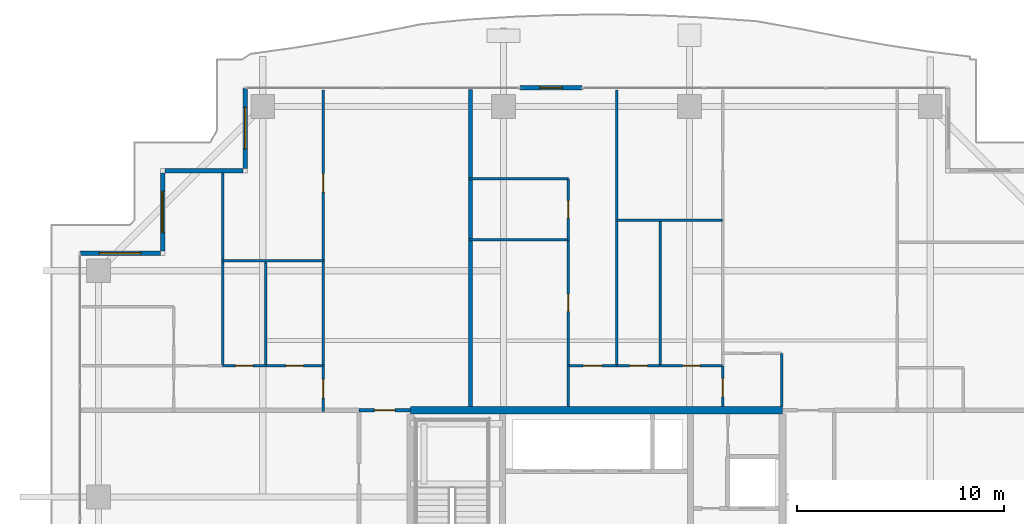
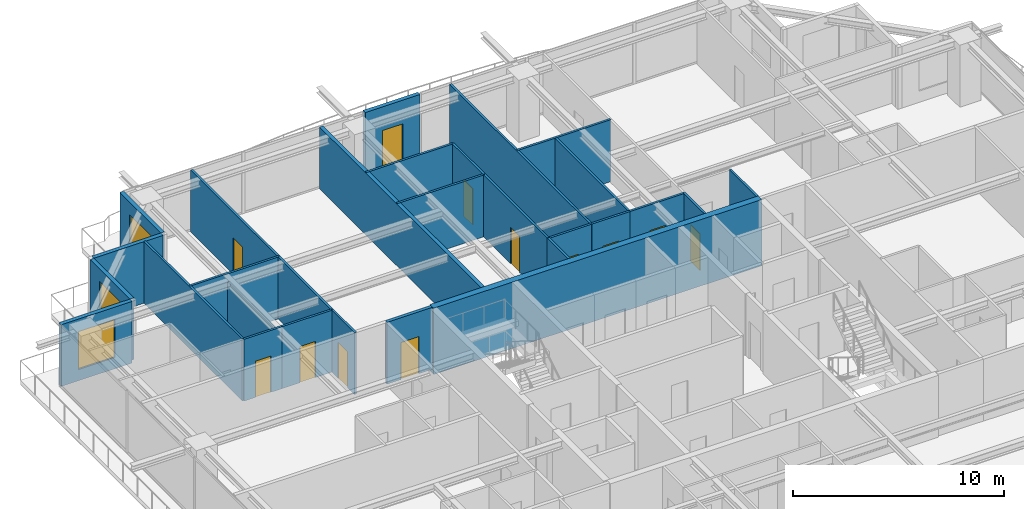
# One storey, part 29 of 37: 29 walls, 12 doors, 3 windows, 15 openings.
"""IFC4 building model written with IfcOpenShell, lengths in metres."""

from ifc_helpers import new_model, si_unit, direction, frame, frame_2d, origin, place, context, subcontext, project, spatial, rectangle, extrude, source, transform, mapped, material, layer, layer_set, type_object, element, fill, save


model = new_model("IFC4")

# Units and contexts
model_context = context("Model", 3, precision=1e-05, world=origin(), true_north=direction((0.0, 1.0)))
body_context = subcontext(model_context, "Body", "Model", "MODEL_VIEW")
ifc_project = project(units=[si_unit("LENGTHUNIT", "METRE"), si_unit("AREAUNIT", "SQUARE_METRE"), si_unit("VOLUMEUNIT", "CUBIC_METRE"), si_unit("PLANEANGLEUNIT", "RADIAN"), si_unit("MASSUNIT", "GRAM", prefix="KILO")], contexts=[model_context])

# Site, building, storey
site_placement = place(None, origin())
site = spatial("IfcSite", under=ifc_project, at=site_placement, CompositionType="ELEMENT")
building_placement = place(site_placement, origin())
building = spatial("IfcBuilding", under=site, at=building_placement, Name="Serunith Strait Residences", CompositionType="ELEMENT")
storey_placement = place(building_placement, frame((0.0, 0.0, 248.949951171875)))
storey = spatial("IfcBuildingStorey", under=building, at=storey_placement, Name="L62", CompositionType="ELEMENT", Elevation=248.949951171875)

# Wall, opening, door
ifc_material_1 = material(Name="Pale-Champagne Aluminium Insulated Panel", Category="aluminium")
ifc_layer_1 = layer(ifc_material_1, 0.219970703125, Name="Pale-Champagne Aluminium Insulated Panel")
ifc_layer_set_1 = layer_set([ifc_layer_1], Name="Pale-Champagne Aluminium Insulated Panel")
wall_type_1 = type_object("IfcWallType", Name="EW-ALUM-220", PredefinedType="ELEMENTEDWALL", material=ifc_layer_set_1)
wall_1_placement = place(storey_placement, frame((31.699951171875, 49.199951171875, 0.0), z_axis=(0.0, 0.0, 1.0), x_axis=(-1.0, 0.0, 0.0)))
wall_1 = element("IfcWall", 1, at=wall_1_placement, inside=storey, type_object=wall_type_1, Name="L62 N Facade Pier Wall", PredefinedType="ELEMENTEDWALL", context=body_context, shape_type="SweptSolid", body=[
    extrude(rectangle(XDim=3.0, YDim=0.219970703125, at=frame_2d((1.5, 0.0))), origin(), (0.0, 0.0, 1.0), 3.574951171875),
])
opening_1_placement = place(wall_1_placement, frame((0.949951171875, 0.0, 0.0)))
opening_1 = element("IfcOpeningElement", 2, at=opening_1_placement, cuts=wall_1, Name="Opening ED-03", PredefinedType="OPENING", context=body_context, shape_type="SweptSolid", body=[
    extrude(rectangle(XDim=1.10009765625, YDim=2.199951171875, at=frame_2d((0.550048828125, 1.10009765625))), frame((0.0, 0.1201171875, 0.0), z_axis=(0.0, -1.0, 0.0), x_axis=(1.0, 0.0, 0.0)), (0.0, 0.0, 1.0), 0.239990234375),
])
ifc_material_2 = material(Name="Thermally-Broken Aluminium Glazed Balcony Door", Category="aluminium")
door_type_1 = type_object("IfcDoorType", Name="ED-BALC-1100", OperationType="NOTDEFINED", PredefinedType="DOOR", material=ifc_material_2)
shared_shape_1 = source(origin(), body_context, "Body", "SweptSolid", [
    extrude(rectangle(XDim=1.10009765625, YDim=2.199951171875, at=frame_2d((0.550048828125, 1.10009765625))), frame((0.0, 0.02490234375, 0.0), z_axis=(0.0, -1.0, 0.0), x_axis=(1.0, 0.0, 0.0)), (0.0, 0.0, 1.0), 0.050048828125),
])
door_1_placement = place(opening_1_placement, origin())
door_1 = element("IfcDoor", 3, at=door_1_placement, inside=storey, type_object=door_type_1, Name="L62 N Vertical-Forest Balcony Door", OperationType="SINGLE_SWING_RIGHT", OverallHeight=2.199951171875, OverallWidth=1.10009765625, PredefinedType="DOOR", context=body_context, shape_type="MappedRepresentation", body=[
    mapped(shared_shape_1, transform((0.0, 0.0, 0.0), scale=1.0)),
])
fill(opening_1, door_1)

# Wall, opening, window
wall_2_placement = place(storey_placement, frame((15.39990234375, 49.199951171875, 0.0), z_axis=(0.0, 0.0, 1.0), x_axis=(0.0, -1.0, 0.0)))
wall_2 = element("IfcWall", 4, at=wall_2_placement, inside=storey, type_object=wall_type_1, Name="L62 Girih Serrated Corner Wall 12", PredefinedType="ELEMENTEDWALL", context=body_context, shape_type="SweptSolid", body=[
    extrude(rectangle(XDim=3.889892578125, YDim=0.219970703125, at=frame_2d((1.94482421875, 0.0))), origin(), (0.0, 0.0, 1.0), 3.574951171875),
])
opening_2_placement = place(wall_2_placement, frame((0.945068359375, 0.0, 0.64990234375)))
opening_2 = element("IfcOpeningElement", 5, at=opening_2_placement, cuts=wall_2, Name="Opening W-04", PredefinedType="OPENING", context=body_context, shape_type="SweptSolid", body=[
    extrude(rectangle(XDim=2.0, YDim=2.199951171875, at=frame_2d((1.0, 1.10009765625))), frame((0.0, 0.1201171875, 0.0), z_axis=(0.0, -1.0, 0.0), x_axis=(1.0, 0.0, 0.0)), (0.0, 0.0, 1.0), 0.239990234375),
])
ifc_material_3 = material(Name="Ceramic-Fritted Operable Aluminium Window Glass", Category="aluminium")
window_type = type_object("IfcWindowType", Name="WIN-C4", PartitioningType="TRIPLE_PANEL_VERTICAL", PredefinedType="WINDOW", material=ifc_material_3)
shared_shape_2 = source(origin(), body_context, "Body", "SweptSolid", [
    extrude(rectangle(XDim=2.0, YDim=2.199951171875, at=frame_2d((1.0, 1.10009765625))), frame((0.0, 0.030029296875, 0.0), z_axis=(0.0, -1.0, 0.0), x_axis=(1.0, 0.0, 0.0)), (0.0, 0.0, 1.0), 0.06005859375),
])
window_1_placement = place(opening_2_placement, origin())
window_1 = element("IfcWindow", 6, at=window_1_placement, inside=storey, type_object=window_type, Name="L62 Corner Operable Fritted Window 12", OverallHeight=2.199951171875, OverallWidth=2.0, PartitioningType="SINGLE_PANEL", PredefinedType="WINDOW", context=body_context, shape_type="MappedRepresentation", body=[
    mapped(shared_shape_2, transform((0.0, 0.0, 0.0), scale=1.0)),
])
fill(opening_2, window_1)

# Wall
wall_3_placement = place(storey_placement, frame((15.2900390625, 45.199951171875, 0.0), z_axis=(0.0, 0.0, 1.0), x_axis=(-1.0, 0.0, 0.0)))
element("IfcWall", 7, at=wall_3_placement, inside=storey, type_object=wall_type_1, Name="L62 Girih Serrated Corner Wall 13", PredefinedType="ELEMENTEDWALL", context=body_context, shape_type="SweptSolid", body=[
    extrude(rectangle(XDim=3.780029296875, YDim=0.219970703125, at=frame_2d((1.89013671875, 0.0))), origin(), (0.0, 0.0, 1.0), 3.574951171875),
])

# Wall, opening, window
wall_4_placement = place(storey_placement, frame((11.39990234375, 45.090087890625, 0.0), z_axis=(0.0, 0.0, 1.0), x_axis=(0.0, -1.0, 0.0)))
wall_4 = element("IfcWall", 8, at=wall_4_placement, inside=storey, type_object=wall_type_1, Name="L62 Girih Serrated Corner Wall 14", PredefinedType="ELEMENTEDWALL", context=body_context, shape_type="SweptSolid", body=[
    extrude(rectangle(XDim=3.780029296875, YDim=0.219970703125, at=frame_2d((1.89013671875, 0.0))), origin(), (0.0, 0.0, 1.0), 3.574951171875),
])
opening_3_placement = place(wall_4_placement, frame((0.889892578125, 0.0, 0.64990234375)))
opening_3 = element("IfcOpeningElement", 9, at=opening_3_placement, cuts=wall_4, Name="Opening W-04", PredefinedType="OPENING", context=body_context, shape_type="SweptSolid", body=[
    extrude(rectangle(XDim=2.0, YDim=2.199951171875, at=frame_2d((1.0, 1.10009765625))), frame((0.0, 0.1201171875, 0.0), z_axis=(0.0, -1.0, 0.0), x_axis=(1.0, 0.0, 0.0)), (0.0, 0.0, 1.0), 0.239990234375),
])
window_2_placement = place(opening_3_placement, origin())
window_2 = element("IfcWindow", 10, at=window_2_placement, inside=storey, type_object=window_type, Name="L62 Corner Operable Fritted Window 14", OverallHeight=2.199951171875, OverallWidth=2.0, PartitioningType="SINGLE_PANEL", PredefinedType="WINDOW", context=body_context, shape_type="MappedRepresentation", body=[
    mapped(shared_shape_2, transform((0.0, 0.0, 0.0), scale=1.0)),
])
fill(opening_3, window_2)

wall_5_placement = place(storey_placement, frame((11.2900390625, 41.199951171875, 0.0), z_axis=(0.0, 0.0, 1.0), x_axis=(-1.0, 0.0, 0.0)))
wall_5 = element("IfcWall", 11, at=wall_5_placement, inside=storey, type_object=wall_type_1, Name="L62 Girih Serrated Corner Wall 15", PredefinedType="ELEMENTEDWALL", context=body_context, shape_type="SweptSolid", body=[
    extrude(rectangle(XDim=3.89013671875, YDim=0.219970703125, at=frame_2d((1.945068359375, 0.0))), origin(), (0.0, 0.0, 1.0), 3.574951171875),
])
opening_4_placement = place(wall_5_placement, frame((0.945068359375, 0.0, 0.64990234375)))
opening_4 = element("IfcOpeningElement", 12, at=opening_4_placement, cuts=wall_5, Name="Opening W-04", PredefinedType="OPENING", context=body_context, shape_type="SweptSolid", body=[
    extrude(rectangle(XDim=2.0, YDim=2.199951171875, at=frame_2d((1.0, 1.10009765625))), frame((0.0, 0.1201171875, 0.0), z_axis=(0.0, -1.0, 0.0), x_axis=(1.0, 0.0, 0.0)), (0.0, 0.0, 1.0), 0.239990234375),
])
window_3_placement = place(opening_4_placement, origin())
window_3 = element("IfcWindow", 13, at=window_3_placement, inside=storey, type_object=window_type, Name="L62 Corner Operable Fritted Window 15", OverallHeight=2.199951171875, OverallWidth=2.0, PartitioningType="SINGLE_PANEL", PredefinedType="WINDOW", context=body_context, shape_type="MappedRepresentation", body=[
    mapped(shared_shape_2, transform((0.0, 0.0, 0.0), scale=1.0)),
])
fill(opening_4, window_3)

# Wall, opening, door
ifc_material_4 = material(Name="Fire-rated acoustic gypsum partition")
ifc_layer_2 = layer(ifc_material_4, 0.179931640625, Name="Fire-rated acoustic gypsum partition")
ifc_layer_set_2 = layer_set([ifc_layer_2], Name="Fire-rated acoustic gypsum partition")
wall_type_2 = type_object("IfcWallType", Name="IW-CORR-180", PredefinedType="PARTITIONING", material=ifc_layer_set_2)
wall_6_placement = place(storey_placement, frame((20.902099609375, 33.60009765625, 0.0), z_axis=(0.0, 0.0, 1.0), x_axis=(1.0, 0.0, 0.0)))
wall_6 = element("IfcWall", 14, at=wall_6_placement, inside=storey, type_object=wall_type_2, Name="L62 Partition Wall 025", PredefinedType="PARTITIONING", context=body_context, shape_type="SweptSolid", body=[
    extrude(rectangle(XDim=2.495849609375, YDim=0.179931640625, at=frame_2d((1.248046875, 0.0))), origin(), (0.0, 0.0, 1.0), 3.590087890625),
])
opening_5_placement = place(wall_6_placement, frame((0.748046875, 0.0, 0.0)))
opening_5 = element("IfcOpeningElement", 15, at=opening_5_placement, cuts=wall_6, Name="Opening D-APT1000", PredefinedType="OPENING", context=body_context, shape_type="SweptSolid", body=[
    extrude(rectangle(XDim=1.0, YDim=2.14990234375, at=frame_2d((0.5, 1.074951171875))), frame((0.0, 0.10009765625, 0.0), z_axis=(0.0, -1.0, 0.0), x_axis=(1.0, 0.0, 0.0)), (0.0, 0.0, 1.0), 0.199951171875),
])
ifc_material_5 = material(Name="Solid timber engineered fire door", Category="wood")
door_type_2 = type_object("IfcDoorType", Name="ID-APT-1000", OperationType="NOTDEFINED", PredefinedType="DOOR", material=ifc_material_5)
shared_shape_3 = source(origin(), body_context, "Body", "SweptSolid", [
    extrude(rectangle(XDim=1.0, YDim=2.14990234375, at=frame_2d((0.5, 1.074951171875))), frame((0.0, 0.02490234375, 0.0), z_axis=(0.0, -1.0, 0.0), x_axis=(1.0, 0.0, 0.0)), (0.0, 0.0, 1.0), 0.050048828125),
])
door_2_placement = place(opening_5_placement, origin())
door_2 = element("IfcDoor", 16, at=door_2_placement, inside=storey, type_object=door_type_2, Name="L62 Unit 02 Entrance Door", OperationType="SINGLE_SWING_RIGHT", OverallHeight=2.14990234375, OverallWidth=1.0, PredefinedType="DOOR", context=body_context, shape_type="MappedRepresentation", body=[
    mapped(shared_shape_3, transform((0.0, 0.0, 0.0), scale=1.0)),
])
fill(opening_5, door_2)

ifc_material_6 = material(Name="Lightweight steel-stud gypsum partition", Category="steel")
ifc_layer_3 = layer(ifc_material_6, 0.1201171875, Name="Lightweight steel-stud gypsum partition")
ifc_layer_set_3 = layer_set([ifc_layer_3], Name="Lightweight steel-stud gypsum partition")
wall_type_3 = type_object("IfcWallType", Name="IW-PART-120", PredefinedType="PARTITIONING", material=ifc_layer_set_3)
wall_7_placement = place(storey_placement, frame((19.179931640625, 35.75, 0.0), z_axis=(0.0, 0.0, 1.0), x_axis=(0.0, -1.0, 0.0)))
wall_7 = element("IfcWall", 17, at=wall_7_placement, inside=storey, type_object=wall_type_3, Name="L62 Partition Wall 053", PredefinedType="PARTITIONING", context=body_context, shape_type="SweptSolid", body=[
    extrude(rectangle(XDim=2.2099609375, YDim=0.1201171875, at=frame_2d((1.10498046875, 0.0))), origin(), (0.0, 0.0, 1.0), 3.590087890625),
])
opening_6_placement = place(wall_7_placement, frame((0.655029296875, 0.0, 0.0)))
opening_6 = element("IfcOpeningElement", 18, at=opening_6_placement, cuts=wall_7, Name="Opening D-RM900", PredefinedType="OPENING", context=body_context, shape_type="SweptSolid", body=[
    extrude(rectangle(XDim=0.89990234375, YDim=2.10009765625, at=frame_2d((0.449951171875, 1.050048828125))), frame((0.0, 0.070068359375, 0.0), z_axis=(0.0, -1.0, 0.0), x_axis=(1.0, 0.0, 0.0)), (0.0, 0.0, 1.0), 0.14013671875),
])
ifc_material_7 = material(Name="Engineered timber flush bedroom door", Category="wood")
door_type_3 = type_object("IfcDoorType", Name="ID-ROOM-900", OperationType="NOTDEFINED", PredefinedType="DOOR", material=ifc_material_7)
shared_shape_4 = source(origin(), body_context, "Body", "SweptSolid", [
    extrude(rectangle(XDim=0.89990234375, YDim=2.10009765625, at=frame_2d((0.449951171875, 1.050048828125))), frame((0.0, 0.02490234375, 0.0), z_axis=(0.0, -1.0, 0.0), x_axis=(1.0, 0.0, 0.0)), (0.0, 0.0, 1.0), 0.050048828125),
])
door_3_placement = place(opening_6_placement, origin())
door_3 = element("IfcDoor", 19, at=door_3_placement, inside=storey, type_object=door_type_3, Name="L62 Hall W 6202 Door", OperationType="SINGLE_SWING_RIGHT", OverallHeight=2.10009765625, OverallWidth=0.89990234375, PredefinedType="DOOR", context=body_context, shape_type="MappedRepresentation", body=[
    mapped(shared_shape_4, transform((0.0, 0.0, 0.0), scale=1.0)),
])
fill(opening_6, door_3)

wall_8_placement = place(storey_placement, frame((19.179931640625, 49.10498046875, 0.0), z_axis=(0.0, 0.0, 1.0), x_axis=(0.0, -1.0, 0.0)))
wall_8 = element("IfcWall", 20, at=wall_8_placement, inside=storey, type_object=wall_type_3, Name="L62 Partition Wall 054", PredefinedType="PARTITIONING", context=body_context, shape_type="SweptSolid", body=[
    extrude(rectangle(XDim=8.263916015625, YDim=0.1201171875, at=frame_2d((4.1318359375, 0.0))), origin(), (0.0, 0.0, 1.0), 3.590087890625),
])
opening_7_placement = place(wall_8_placement, frame((4.050048828125, 0.0, 0.0)))
opening_7 = element("IfcOpeningElement", 21, at=opening_7_placement, cuts=wall_8, Name="Opening D-RM900", PredefinedType="OPENING", context=body_context, shape_type="SweptSolid", body=[
    extrude(rectangle(XDim=0.89990234375, YDim=2.10009765625, at=frame_2d((0.449951171875, 1.050048828125))), frame((0.0, 0.070068359375, 0.0), z_axis=(0.0, -1.0, 0.0), x_axis=(1.0, 0.0, 0.0)), (0.0, 0.0, 1.0), 0.14013671875),
])
door_4_placement = place(opening_7_placement, origin())
door_4 = element("IfcDoor", 22, at=door_4_placement, inside=storey, type_object=door_type_3, Name="L62 Formal Dining Room 1 6202 Door", OperationType="SINGLE_SWING_LEFT", OverallHeight=2.10009765625, OverallWidth=0.89990234375, PredefinedType="DOOR", context=body_context, shape_type="MappedRepresentation", body=[
    mapped(shared_shape_4, transform((0.0, 0.0, 0.0), scale=1.0)),
])
fill(opening_7, door_4)

# Walls
wall_9_placement = place(storey_placement, frame((19.179931640625, 40.839111328125, 0.0), z_axis=(0.0, 0.0, 1.0), x_axis=(0.0, -1.0, 0.0)))
element("IfcWall", 23, at=wall_9_placement, inside=storey, type_object=wall_type_3, Name="L62 Partition Wall 055", PredefinedType="PARTITIONING", context=body_context, shape_type="SweptSolid", body=[
    extrude(rectangle(XDim=5.087158203125, YDim=0.1201171875, at=frame_2d((2.54345703125, 0.0))), origin(), (0.0, 0.0, 1.0), 3.590087890625),
])
wall_10_placement = place(storey_placement, frame((14.300048828125, 40.841064453125, 0.0), z_axis=(0.0, 0.0, 1.0), x_axis=(1.0, 0.0, 0.0)))
element("IfcWall", 24, at=wall_10_placement, inside=storey, type_object=wall_type_3, Name="L62 Partition Wall 056", PredefinedType="PARTITIONING", context=body_context, shape_type="SweptSolid", body=[
    extrude(rectangle(XDim=4.8798828125, YDim=0.1201171875, at=frame_2d((2.43994140625, 0.0))), origin(), (0.0, 0.0, 1.0), 3.590087890625),
])
wall_11_placement = place(storey_placement, frame((14.300048828125, 45.10498046875, 0.0), z_axis=(0.0, 0.0, 1.0), x_axis=(0.0, -1.0, 0.0)))
element("IfcWall", 25, at=wall_11_placement, inside=storey, type_object=wall_type_3, Name="L62 Partition Wall 057", PredefinedType="PARTITIONING", context=body_context, shape_type="SweptSolid", body=[
    extrude(rectangle(XDim=9.35498046875, YDim=0.1201171875, at=frame_2d((4.677490234375, 0.0))), origin(), (0.0, 0.0, 1.0), 3.590087890625),
])
wall_12_placement = place(storey_placement, frame((16.39990234375, 40.841064453125, 0.0), z_axis=(0.0, 0.0, 1.0), x_axis=(0.0, -1.0, 0.0)))
element("IfcWall", 26, at=wall_12_placement, inside=storey, type_object=wall_type_3, Name="L62 Partition Wall 058", PredefinedType="PARTITIONING", context=body_context, shape_type="SweptSolid", body=[
    extrude(rectangle(XDim=5.091064453125, YDim=0.1201171875, at=frame_2d((2.54541015625, 0.0))), origin(), (0.0, 0.0, 1.0), 3.1220703125),
])

# Wall, opening, door
wall_13_placement = place(storey_placement, frame((14.300048828125, 35.75, 0.0), z_axis=(0.0, 0.0, 1.0), x_axis=(1.0, 0.0, 0.0)))
wall_13 = element("IfcWall", 27, at=wall_13_placement, inside=storey, type_object=wall_type_3, Name="L62 Partition Wall 059", PredefinedType="PARTITIONING", context=body_context, shape_type="SweptSolid", body=[
    extrude(rectangle(XDim=2.099853515625, YDim=0.1201171875, at=frame_2d((1.0498046875, 0.0))), origin(), (0.0, 0.0, 1.0), 3.590087890625),
])
opening_8_placement = place(wall_13_placement, frame((0.625, 0.0, 0.0)))
opening_8 = element("IfcOpeningElement", 28, at=opening_8_placement, cuts=wall_13, Name="Opening D-BTH850", PredefinedType="OPENING", context=body_context, shape_type="SweptSolid", body=[
    extrude(rectangle(XDim=0.85009765625, YDim=2.10009765625, at=frame_2d((0.425048828125, 1.050048828125))), frame((0.0, 0.070068359375, 0.0), z_axis=(0.0, -1.0, 0.0), x_axis=(1.0, 0.0, 0.0)), (0.0, 0.0, 1.0), 0.14013671875),
])
ifc_material_8 = material(Name="Moisture-resistant timber bathroom door", Category="wood")
door_type_4 = type_object("IfcDoorType", Name="ID-BATH-850", OperationType="NOTDEFINED", PredefinedType="DOOR", material=ifc_material_8)
shared_shape_5 = source(origin(), body_context, "Body", "SweptSolid", [
    extrude(rectangle(XDim=0.85009765625, YDim=2.10009765625, at=frame_2d((0.425048828125, 1.050048828125))), frame((0.0, 0.02490234375, 0.0), z_axis=(0.0, -1.0, 0.0), x_axis=(1.0, 0.0, 0.0)), (0.0, 0.0, 1.0), 0.050048828125),
])
door_5_placement = place(opening_8_placement, origin())
door_5 = element("IfcDoor", 29, at=door_5_placement, inside=storey, type_object=door_type_4, Name="L62 Bathroom 6202 Door", OperationType="SINGLE_SWING_RIGHT", OverallHeight=2.10009765625, OverallWidth=0.85009765625, PredefinedType="DOOR", context=body_context, shape_type="MappedRepresentation", body=[
    mapped(shared_shape_5, transform((0.0, 0.0, 0.0), scale=1.0)),
])
fill(opening_8, door_5)

wall_14_placement = place(storey_placement, frame((16.402099609375, 35.75, 0.0), z_axis=(0.0, 0.0, 1.0), x_axis=(1.0, 0.0, 0.0)))
wall_14 = element("IfcWall", 30, at=wall_14_placement, inside=storey, type_object=wall_type_3, Name="L62 Partition Wall 060", PredefinedType="PARTITIONING", context=body_context, shape_type="SweptSolid", body=[
    extrude(rectangle(XDim=2.77783203125, YDim=0.1201171875, at=frame_2d((1.388916015625, 0.0))), origin(), (0.0, 0.0, 1.0), 3.590087890625),
])
opening_9_placement = place(wall_14_placement, frame((0.964111328125, 0.0, 0.0)))
opening_9 = element("IfcOpeningElement", 31, at=opening_9_placement, cuts=wall_14, Name="Opening D-RM850", PredefinedType="OPENING", context=body_context, shape_type="SweptSolid", body=[
    extrude(rectangle(XDim=0.85009765625, YDim=2.10009765625, at=frame_2d((0.425048828125, 1.050048828125))), frame((0.0, 0.070068359375, 0.0), z_axis=(0.0, -1.0, 0.0), x_axis=(1.0, 0.0, 0.0)), (0.0, 0.0, 1.0), 0.14013671875),
])
ifc_material_9 = material(Name="Engineered timber flush study and kitchen door", Category="wood")
door_type_5 = type_object("IfcDoorType", Name="ID-ROOM-850", OperationType="NOTDEFINED", PredefinedType="DOOR", material=ifc_material_9)
door_6_placement = place(opening_9_placement, origin())
door_6 = element("IfcDoor", 32, at=door_6_placement, inside=storey, type_object=door_type_5, Name="L62 Kitchen 6202 Door", OperationType="SINGLE_SWING_LEFT", OverallHeight=2.10009765625, OverallWidth=0.85009765625, PredefinedType="DOOR", context=body_context, shape_type="MappedRepresentation", body=[
    mapped(shared_shape_5, transform((0.0, 0.0, 0.0), scale=1.0)),
])
fill(opening_9, door_6)

# Wall
wall_15_placement = place(storey_placement, frame((41.35009765625, 36.35009765625, 0.0), z_axis=(0.0, 0.0, 1.0), x_axis=(0.0, -1.0, 0.0)))
element("IfcWall", 33, at=wall_15_placement, inside=storey, type_object=wall_type_3, Name="L62 Partition Wall 067", PredefinedType="PARTITIONING", context=body_context, shape_type="SweptSolid", body=[
    extrude(rectangle(XDim=2.5751953125, YDim=0.1201171875, at=frame_2d((1.28759765625, 0.0))), origin(), (0.0, 0.0, 1.0), 3.590087890625),
])

# Wall, opening, door
wall_16_placement = place(storey_placement, frame((38.5, 35.75, 0.0), z_axis=(0.0, 0.0, 1.0), x_axis=(0.0, -1.0, 0.0)))
wall_16 = element("IfcWall", 34, at=wall_16_placement, inside=storey, type_object=wall_type_3, Name="L62 Partition Wall 068", PredefinedType="PARTITIONING", context=body_context, shape_type="SweptSolid", body=[
    extrude(rectangle(XDim=1.97509765625, YDim=0.1201171875, at=frame_2d((0.987548828125, 0.0))), origin(), (0.0, 0.0, 1.0), 3.590087890625),
])
opening_10_placement = place(wall_16_placement, frame((0.60107421875, 0.0, 0.0)))
opening_10 = element("IfcOpeningElement", 35, at=opening_10_placement, cuts=wall_16, Name="Opening D-RM900", PredefinedType="OPENING", context=body_context, shape_type="SweptSolid", body=[
    extrude(rectangle(XDim=0.89990234375, YDim=2.10009765625, at=frame_2d((0.449951171875, 1.050048828125))), frame((0.0, 0.070068359375, 0.0), z_axis=(0.0, -1.0, 0.0), x_axis=(1.0, 0.0, 0.0)), (0.0, 0.0, 1.0), 0.14013671875),
])
door_7_placement = place(opening_10_placement, origin())
door_7 = element("IfcDoor", 36, at=door_7_placement, inside=storey, type_object=door_type_3, Name="L62 Hall W 6203 Door", OperationType="SINGLE_SWING_RIGHT", OverallHeight=2.10009765625, OverallWidth=0.89990234375, PredefinedType="DOOR", context=body_context, shape_type="MappedRepresentation", body=[
    mapped(shared_shape_4, transform((0.0, 0.0, 0.0), scale=1.0)),
])
fill(opening_10, door_7)

# Walls
wall_17_placement = place(storey_placement, frame((33.3798828125, 42.7900390625, 0.0), z_axis=(0.0, 0.0, 1.0), x_axis=(1.0, 0.0, 0.0)))
element("IfcWall", 37, at=wall_17_placement, inside=storey, type_object=wall_type_3, Name="L62 Partition Wall 071", PredefinedType="PARTITIONING", context=body_context, shape_type="SweptSolid", body=[
    extrude(rectangle(XDim=5.1201171875, YDim=0.1201171875, at=frame_2d((2.56005859375, 0.0))), origin(), (0.0, 0.0, 1.0), 3.590087890625),
])
wall_18_placement = place(storey_placement, frame((33.3798828125, 49.10498046875, 0.0), z_axis=(0.0, 0.0, 1.0), x_axis=(0.0, -1.0, 0.0)))
element("IfcWall", 38, at=wall_18_placement, inside=storey, type_object=wall_type_3, Name="L62 Partition Wall 072", PredefinedType="PARTITIONING", context=body_context, shape_type="SweptSolid", body=[
    extrude(rectangle(XDim=13.35498046875, YDim=0.1201171875, at=frame_2d((6.677490234375, 0.0))), origin(), (0.0, 0.0, 1.0), 3.590087890625),
])
wall_19_placement = place(storey_placement, frame((35.47998046875, 42.7900390625, 0.0), z_axis=(0.0, 0.0, 1.0), x_axis=(0.0, -1.0, 0.0)))
element("IfcWall", 39, at=wall_19_placement, inside=storey, type_object=wall_type_3, Name="L62 Partition Wall 073", PredefinedType="PARTITIONING", context=body_context, shape_type="SweptSolid", body=[
    extrude(rectangle(XDim=7.0400390625, YDim=0.1201171875, at=frame_2d((3.52001953125, 0.0))), origin(), (0.0, 0.0, 1.0), 3.590087890625),
])

# Wall, opening, door
wall_20_placement = place(storey_placement, frame((33.3798828125, 35.75, 0.0), z_axis=(0.0, 0.0, 1.0), x_axis=(1.0, 0.0, 0.0)))
wall_20 = element("IfcWall", 40, at=wall_20_placement, inside=storey, type_object=wall_type_3, Name="L62 Partition Wall 074", PredefinedType="PARTITIONING", context=body_context, shape_type="SweptSolid", body=[
    extrude(rectangle(XDim=2.10009765625, YDim=0.1201171875, at=frame_2d((1.050048828125, 0.0))), origin(), (0.0, 0.0, 1.0), 3.590087890625),
])
opening_11_placement = place(wall_20_placement, frame((0.625, 0.0, 0.0)))
opening_11 = element("IfcOpeningElement", 41, at=opening_11_placement, cuts=wall_20, Name="Opening D-BTH850", PredefinedType="OPENING", context=body_context, shape_type="SweptSolid", body=[
    extrude(rectangle(XDim=0.85009765625, YDim=2.10009765625, at=frame_2d((0.425048828125, 1.050048828125))), frame((0.0, 0.070068359375, 0.0), z_axis=(0.0, -1.0, 0.0), x_axis=(1.0, 0.0, 0.0)), (0.0, 0.0, 1.0), 0.14013671875),
])
door_8_placement = place(opening_11_placement, origin())
door_8 = element("IfcDoor", 42, at=door_8_placement, inside=storey, type_object=door_type_4, Name="L62 Bathroom 6203 Door", OperationType="SINGLE_SWING_RIGHT", OverallHeight=2.10009765625, OverallWidth=0.85009765625, PredefinedType="DOOR", context=body_context, shape_type="MappedRepresentation", body=[
    mapped(shared_shape_5, transform((0.0, 0.0, 0.0), scale=1.0)),
])
fill(opening_11, door_8)

wall_21_placement = place(storey_placement, frame((35.48193359375, 35.75, 0.0), z_axis=(0.0, 0.0, 1.0), x_axis=(1.0, 0.0, 0.0)))
wall_21 = element("IfcWall", 43, at=wall_21_placement, inside=storey, type_object=wall_type_3, Name="L62 Partition Wall 075", PredefinedType="PARTITIONING", context=body_context, shape_type="SweptSolid", body=[
    extrude(rectangle(XDim=3.01806640625, YDim=0.1201171875, at=frame_2d((1.509033203125, 0.0))), origin(), (0.0, 0.0, 1.0), 3.590087890625),
])
opening_12_placement = place(wall_21_placement, frame((1.083984375, 0.0, 0.0)))
opening_12 = element("IfcOpeningElement", 44, at=opening_12_placement, cuts=wall_21, Name="Opening D-RM850", PredefinedType="OPENING", context=body_context, shape_type="SweptSolid", body=[
    extrude(rectangle(XDim=0.85009765625, YDim=2.10009765625, at=frame_2d((0.425048828125, 1.050048828125))), frame((0.0, 0.070068359375, 0.0), z_axis=(0.0, -1.0, 0.0), x_axis=(1.0, 0.0, 0.0)), (0.0, 0.0, 1.0), 0.14013671875),
])
door_9_placement = place(opening_12_placement, origin())
door_9 = element("IfcDoor", 45, at=door_9_placement, inside=storey, type_object=door_type_5, Name="L62 Formal Dining Room 6203 Door", OperationType="SINGLE_SWING_LEFT", OverallHeight=2.10009765625, OverallWidth=0.85009765625, PredefinedType="DOOR", context=body_context, shape_type="MappedRepresentation", body=[
    mapped(shared_shape_5, transform((0.0, 0.0, 0.0), scale=1.0)),
])
fill(opening_12, door_9)

wall_22_placement = place(storey_placement, frame((31.030029296875, 35.75, 0.0), z_axis=(0.0, 0.0, 1.0), x_axis=(1.0, 0.0, 0.0)))
wall_22 = element("IfcWall", 46, at=wall_22_placement, inside=storey, type_object=wall_type_3, Name="L62 Partition Wall 076", PredefinedType="PARTITIONING", context=body_context, shape_type="SweptSolid", body=[
    extrude(rectangle(XDim=2.347900390625, YDim=0.1201171875, at=frame_2d((1.173828125, 0.0))), origin(), (0.0, 0.0, 1.0), 3.590087890625),
])
opening_13_placement = place(wall_22_placement, frame((0.72412109375, 0.0, 0.0)))
opening_13 = element("IfcOpeningElement", 47, at=opening_13_placement, cuts=wall_22, Name="Opening D-RM900", PredefinedType="OPENING", context=body_context, shape_type="SweptSolid", body=[
    extrude(rectangle(XDim=0.89990234375, YDim=2.10009765625, at=frame_2d((0.449951171875, 1.050048828125))), frame((0.0, 0.070068359375, 0.0), z_axis=(0.0, -1.0, 0.0), x_axis=(1.0, 0.0, 0.0)), (0.0, 0.0, 1.0), 0.14013671875),
])
door_10_placement = place(opening_13_placement, origin())
door_10 = element("IfcDoor", 48, at=door_10_placement, inside=storey, type_object=door_type_3, Name="L62 Master Bedroom W 6203 Door", OperationType="SINGLE_SWING_RIGHT", OverallHeight=2.10009765625, OverallWidth=0.89990234375, PredefinedType="DOOR", context=body_context, shape_type="MappedRepresentation", body=[
    mapped(shared_shape_4, transform((0.0, 0.0, 0.0), scale=1.0)),
])
fill(opening_13, door_10)

# Walls
for number, where, z_axis, x_axis, name in (
    (49, (26.239990234375, 44.804931640625, 0.0), (0.0, 0.0, 1.0), (1.0, 0.0, 0.0), "L62 Partition Wall 077"),
    (50, (26.239990234375, 41.844970703125, 0.0), (0.0, 0.0, 1.0), (1.0, 0.0, 0.0), "L62 Partition Wall 078"),
):
    element("IfcWall", number, at=place(storey_placement, frame(where, z_axis=z_axis, x_axis=x_axis)), inside=storey, type_object=wall_type_3, Name=name, PredefinedType="PARTITIONING", context=body_context, shape_type="SweptSolid", body=[
        extrude(rectangle(XDim=4.7900390625, YDim=0.1201171875, at=frame_2d((2.39501953125, 0.0))), origin(), (0.0, 0.0, 1.0), 3.590087890625),
    ])

# Wall, opening, door
wall_23_placement = place(storey_placement, frame((31.030029296875, 44.804931640625, 0.0), z_axis=(0.0, 0.0, 1.0), x_axis=(0.0, -1.0, 0.0)))
wall_23 = element("IfcWall", 51, at=wall_23_placement, inside=storey, type_object=wall_type_3, Name="L62 Partition Wall 079", PredefinedType="PARTITIONING", context=body_context, shape_type="SweptSolid", body=[
    extrude(rectangle(XDim=2.9599609375, YDim=0.1201171875, at=frame_2d((1.47998046875, 0.0))), origin(), (0.0, 0.0, 1.0), 3.590087890625),
])
opening_14_placement = place(wall_23_placement, frame((1.054931640625, 0.0, 0.0)))
opening_14 = element("IfcOpeningElement", 52, at=opening_14_placement, cuts=wall_23, Name="Opening D-BTH850", PredefinedType="OPENING", context=body_context, shape_type="SweptSolid", body=[
    extrude(rectangle(XDim=0.85009765625, YDim=2.10009765625, at=frame_2d((0.425048828125, 1.050048828125))), frame((0.0, 0.070068359375, 0.0), z_axis=(0.0, -1.0, 0.0), x_axis=(1.0, 0.0, 0.0)), (0.0, 0.0, 1.0), 0.14013671875),
])
door_11_placement = place(opening_14_placement, origin())
door_11 = element("IfcDoor", 53, at=door_11_placement, inside=storey, type_object=door_type_4, Name="L62 En-suite Bathroom W 6203 Door", OperationType="SINGLE_SWING_LEFT", OverallHeight=2.10009765625, OverallWidth=0.85009765625, PredefinedType="DOOR", context=body_context, shape_type="MappedRepresentation", body=[
    mapped(shared_shape_5, transform((0.0, 0.0, 0.0), scale=1.0)),
])
fill(opening_14, door_11)

wall_24_placement = place(storey_placement, frame((31.030029296875, 41.843017578125, 0.0), z_axis=(0.0, 0.0, 1.0), x_axis=(0.0, -1.0, 0.0)))
wall_24 = element("IfcWall", 54, at=wall_24_placement, inside=storey, type_object=wall_type_3, Name="L62 Partition Wall 080", PredefinedType="PARTITIONING", context=body_context, shape_type="SweptSolid", body=[
    extrude(rectangle(XDim=6.093017578125, YDim=0.1201171875, at=frame_2d((3.04638671875, 0.0))), origin(), (0.0, 0.0, 1.0), 3.590087890625),
])
opening_15_placement = place(wall_24_placement, frame((2.6220703125, 0.0, 0.0)))
opening_15 = element("IfcOpeningElement", 55, at=opening_15_placement, cuts=wall_24, Name="Opening D-RM850", PredefinedType="OPENING", context=body_context, shape_type="SweptSolid", body=[
    extrude(rectangle(XDim=0.85009765625, YDim=2.10009765625, at=frame_2d((0.425048828125, 1.050048828125))), frame((0.0, 0.070068359375, 0.0), z_axis=(0.0, -1.0, 0.0), x_axis=(1.0, 0.0, 0.0)), (0.0, 0.0, 1.0), 0.14013671875),
])
door_12_placement = place(opening_15_placement, origin())
door_12 = element("IfcDoor", 56, at=door_12_placement, inside=storey, type_object=door_type_5, Name="L62 Wardrobe W 6203 Door", OperationType="SINGLE_SWING_RIGHT", OverallHeight=2.10009765625, OverallWidth=0.85009765625, PredefinedType="DOOR", context=body_context, shape_type="MappedRepresentation", body=[
    mapped(shared_shape_5, transform((0.0, 0.0, 0.0), scale=1.0)),
])
fill(opening_15, door_12)

# Walls
wall_25_placement = place(storey_placement, frame((31.030029296875, 35.748046875, 0.0), z_axis=(0.0, 0.0, 1.0), x_axis=(0.0, -1.0, 0.0)))
element("IfcWall", 57, at=wall_25_placement, inside=storey, type_object=wall_type_3, Name="L62 Partition Wall 081", PredefinedType="PARTITIONING", context=body_context, shape_type="SweptSolid", body=[
    extrude(rectangle(XDim=1.97314453125, YDim=0.1201171875, at=frame_2d((0.986572265625, 0.0))), origin(), (0.0, 0.0, 1.0), 3.590087890625),
])
ifc_material_10 = material(Name="Twin-stud acoustic gypsum board partition")
ifc_layer_4 = layer(ifc_material_10, 0.199951171875, Name="Twin-stud acoustic gypsum board partition")
ifc_layer_set_4 = layer_set([ifc_layer_4], Name="Twin-stud acoustic gypsum board partition")
wall_type_4 = type_object("IfcWallType", Name="IW-PARTY-200", PredefinedType="PARTITIONING", material=ifc_layer_set_4)
wall_26_placement = place(storey_placement, frame((26.300048828125, 33.77490234375, 0.0), z_axis=(0.0, 0.0, 1.0), x_axis=(0.0, 1.0, 0.0)))
element("IfcWall", 58, at=wall_26_placement, inside=storey, type_object=wall_type_4, Name="L62 Partition Wall 018", PredefinedType="PARTITIONING", context=body_context, shape_type="SweptSolid", body=[
    extrude(rectangle(XDim=15.343017578125, YDim=0.199951171875, at=frame_2d((7.67138671875, 0.0))), origin(), (0.0, 0.0, 1.0), 3.590087890625),
])
ifc_material_11 = material(Name="Concrete C60/75", Category="concrete")
ifc_layer_5 = layer(ifc_material_11, 0.35009765625, Name="Concrete C60/75")
ifc_layer_set_5 = layer_set([ifc_layer_5], Name="Concrete C60/75")
wall_type_5 = type_object("IfcWallType", Name="SW-350-C60", PredefinedType="SHEAR", material=ifc_layer_set_5)
wall_27_placement = place(storey_placement, frame((41.39990234375, 33.60009765625, -0.260009765625), z_axis=(0.0, 0.0, 1.0), x_axis=(-1.0, 0.0, 0.0)))
element("IfcWall", 59, at=wall_27_placement, inside=storey, type_object=wall_type_5, Name="L62 Core North Shear Wall", PredefinedType="SHEAR", context=body_context, shape_type="SweptSolid", body=[
    extrude(rectangle(XDim=18.0, YDim=0.35009765625, at=frame_2d((9.0, 0.0))), origin(), (0.0, 0.0, 1.0), 3.84814453125),
])

save(model, "model.ifc")
